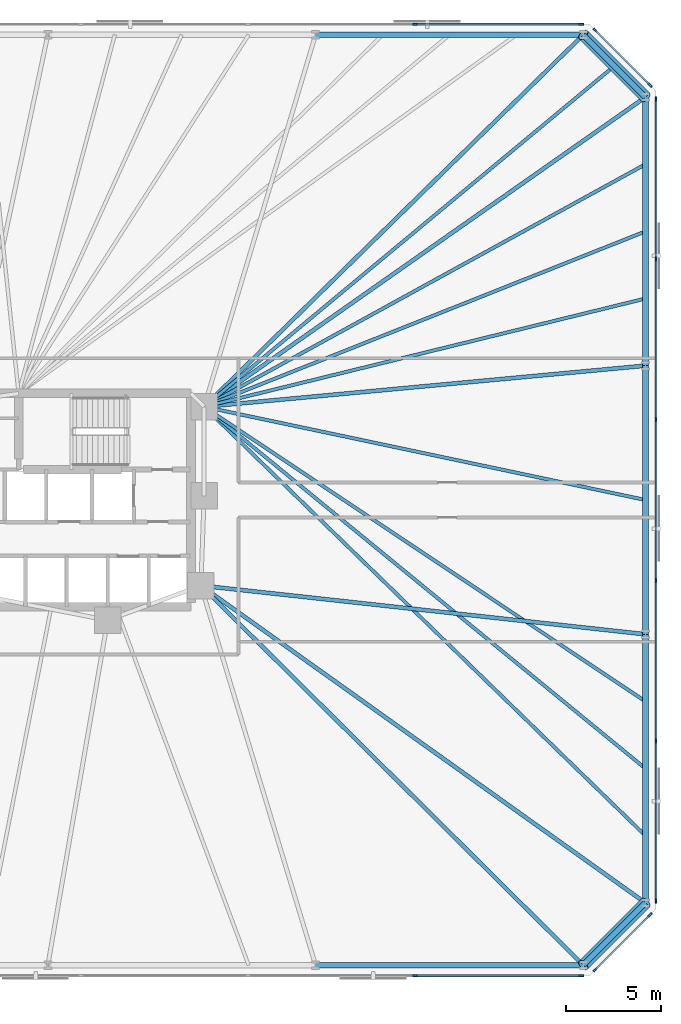
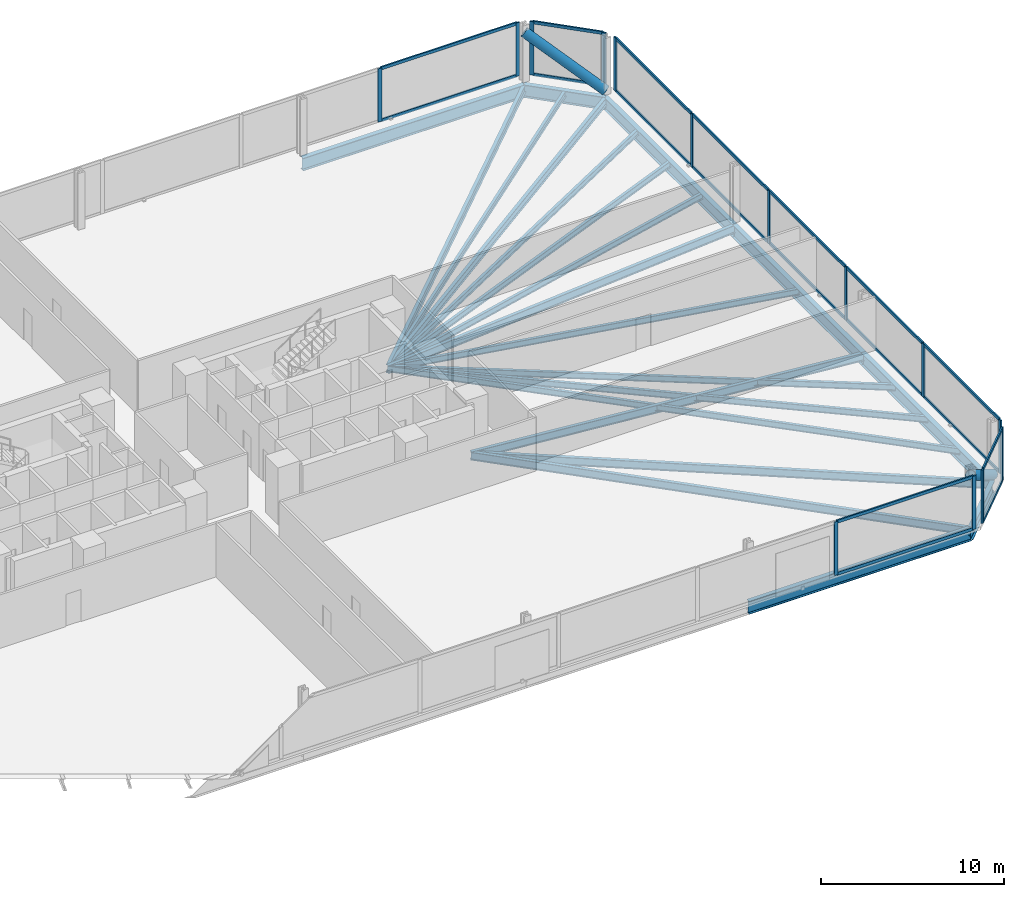
# One storey, part 10 of 16: 34 members, 21 beams, 5 elements without a shape of their own.
"""IFC4 building model written with IfcOpenShell, lengths in metres."""

import ifcopenshell
import ifcopenshell.guid

model = None  # the IFC model being written
_history = None  # IfcOwnerHistory: only IFC2X3 demands one
_inside = {}  # id of a spatial element -> (the spatial element, [elements in it])
_under = {}  # id of a project, library or spatial element -> (it, [spatial elements below it])
_declared = {}  # id of a project -> (the project, [libraries it declares])
_typed = {}  # id of a type object -> (the type object, [elements of that type])
_made_of = {}  # id of a material, layer set ... -> (it, [elements and type objects made of it])


def new_model(schema):
    """Start an empty IFC model of exactly this schema.

    Asked for "IFC4X3", IfcOpenShell would pick the latest addendum, in which some entities
    have other attributes; the version numbers below select the first issue.
    IFC2X3 requires an IfcOwnerHistory on every rooted entity: one is made here for all.
    """
    global model, _history
    if schema == "IFC4X3":
        model = ifcopenshell.file(schema_version=(4, 3, 0, 0))
    else:
        model = ifcopenshell.file(schema=schema)
    _inside.clear()
    _under.clear()
    _declared.clear()
    _typed.clear()
    _made_of.clear()
    _history = None
    if model.schema == "IFC2X3":
        org = make("IfcOrganization", Name="unknown")
        user = make(
            "IfcPersonAndOrganization",
            ThePerson=make("IfcPerson", FamilyName="unknown"),
            TheOrganization=org,
        )
        app = make(
            "IfcApplication",
            ApplicationDeveloper=org,
            Version="unknown",
            ApplicationFullName="unknown",
            ApplicationIdentifier="unknown",
        )
        _history = make(
            "IfcOwnerHistory",
            OwningUser=user,
            OwningApplication=app,
            ChangeAction="ADDED",
            CreationDate=0,
        )
    return model


def make(cls, **values):
    """One entity of the class cls with the attributes given. An attribute that is None is left unset."""
    return model.create_entity(
        cls, **{name: value for name, value in values.items() if value is not None}
    )


def rooted(cls, **values):
    """An entity with a GlobalId (a new one), such as an element, a storey or a relation."""
    return make(cls, GlobalId=ifcopenshell.guid.new(), OwnerHistory=_history, **values)


def si_unit(unit_type, name, prefix=None):
    """IfcSIUnit, for example si_unit("LENGTHUNIT", "METRE", prefix="MILLI")."""
    return make("IfcSIUnit", UnitType=unit_type, Prefix=prefix, Name=name)


def assignment(units):
    """IfcUnitAssignment: the units of a project."""
    return None if units is None else make("IfcUnitAssignment", Units=units)


def point(xyz):
    """IfcCartesianPoint."""
    return None if xyz is None else make("IfcCartesianPoint", Coordinates=xyz)


def direction(xyz):
    """IfcDirection."""
    return None if xyz is None else make("IfcDirection", DirectionRatios=xyz)


def frame(location, z_axis=None, x_axis=None):
    """IfcAxis2Placement3D, a coordinate frame: its origin and axes. An axis left out is left unset."""
    return make(
        "IfcAxis2Placement3D",
        Location=point(location),
        Axis=direction(z_axis),
        RefDirection=direction(x_axis),
    )


def frame_2d(location, x_axis=None):
    """IfcAxis2Placement2D, a coordinate frame in the plane: its origin and x axis."""
    return make(
        "IfcAxis2Placement2D", Location=point(location), RefDirection=direction(x_axis)
    )


def origin():
    """The frame at (0, 0, 0) with its axes left unset."""
    return frame((0.0, 0.0, 0.0))


def origin_2d():
    """The frame at (0, 0) in the plane with its x axis left unset."""
    return frame_2d((0.0, 0.0))


def place(relative_to, where):
    """IfcLocalPlacement: puts the frame where relative to a parent placement (None: the world)."""
    return make(
        "IfcLocalPlacement", PlacementRelTo=relative_to, RelativePlacement=where
    )


def context(
    kind, dimensions, precision=None, world=None, true_north=None, identifier=None
):
    """IfcGeometricRepresentationContext, for example the 3D "Model" context."""
    return make(
        "IfcGeometricRepresentationContext",
        ContextIdentifier=identifier,
        ContextType=kind,
        CoordinateSpaceDimension=dimensions,
        Precision=precision,
        WorldCoordinateSystem=world,
        TrueNorth=true_north,
    )


def subcontext(parent, identifier, kind, view, scale=None):
    """IfcGeometricRepresentationSubContext, for example "Body" below "Model"."""
    return make(
        "IfcGeometricRepresentationSubContext",
        ContextIdentifier=identifier,
        ContextType=kind,
        ParentContext=parent,
        TargetScale=scale,
        TargetView=view,
    )


def project(units=None, contexts=None):
    """IfcProject with its units and contexts."""
    return rooted(
        "IfcProject",
        Name="project",
        RepresentationContexts=contexts,
        UnitsInContext=assignment(units),
    )


def spatial(cls, under=None, at=None, **own):
    """A site, building, storey or space (cls), placed at a placement, below another one or the project."""
    s = rooted(cls, ObjectPlacement=at, **own)
    if under is not None:
        _under.setdefault(under.id(), (under, []))[1].append(s)
    return s


def profile(cls, at=None, kind="AREA", **sizes):
    """A parametric profile (cls). Its sizes go by their IFC names, for example OverallWidth=200.0."""
    return make(cls, ProfileType=kind, Position=at, **sizes)


def rectangle(**sizes):
    """IfcRectangleProfileDef."""
    return profile("IfcRectangleProfileDef", **sizes)


def hollow_circle(**sizes):
    """IfcCircleHollowProfileDef."""
    return profile("IfcCircleHollowProfileDef", **sizes)


def i_section(**sizes):
    """IfcIShapeProfileDef."""
    return profile("IfcIShapeProfileDef", **sizes)


def extrude(swept, where, along, depth):
    """IfcExtrudedAreaSolid: the profile swept, set in the frame where, extruded along a direction by depth."""
    return make(
        "IfcExtrudedAreaSolid",
        SweptArea=swept,
        Position=where,
        ExtrudedDirection=direction(along),
        Depth=depth,
    )


def shape(context_of_items, identifier, shape_type, items):
    """IfcShapeRepresentation: the items that make up one representation, for example the "Body"."""
    return make(
        "IfcShapeRepresentation",
        ContextOfItems=context_of_items,
        RepresentationIdentifier=identifier,
        RepresentationType=shape_type,
        Items=items,
    )


def material(Name=None, Category=None):
    """IfcMaterial."""
    return make("IfcMaterial", Name=Name, Category=Category)


def material_profile(
    of_material, cross_section, Name=None, Category=None, Priority=None
):
    """IfcMaterialProfile: a cross section and its material."""
    return make(
        "IfcMaterialProfile",
        Name=Name,
        Material=of_material,
        Profile=cross_section,
        Priority=Priority,
        Category=Category,
    )


def profile_set(profiles, Name=None, composite=None):
    """IfcMaterialProfileSet."""
    return make(
        "IfcMaterialProfileSet",
        Name=Name,
        MaterialProfiles=profiles,
        CompositeProfile=composite,
    )


def made_of(thing, what):
    """Note that an element or type object is made of a material, layer set ...; save() writes the relation."""
    if what is not None:
        _made_of.setdefault(what.id(), (what, []))[1].append(thing)
    return thing


def type_object(cls, material=None, **own):
    """A type object (cls), such as IfcWallType, which elements share."""
    return made_of(rooted(cls, **own), material)


def element(
    cls,
    number,
    at=None,
    inside=None,
    cuts=None,
    type_object=None,
    material=None,
    context=None,
    identifier="Body",
    shape_type=None,
    held_by="IfcProductDefinitionShape",
    body=None,
    shapes=None,
    **own,
):
    """One element of the class cls, such as IfcWall. Its Tag is "e" and its number.

    at: its placement. inside: the storey or other place that contains it. cuts: it is an
    opening in that element (IfcRelVoidsElement). A single representation is given by context,
    identifier, shape_type and body (its items); several are given by shapes. held_by: the class
    of the entity that holds the representations. save() writes the other relations.
    """
    e = rooted(cls, Tag="e%d" % number, ObjectPlacement=at, **own)
    if body is not None:
        shapes = [shape(context, identifier, shape_type, body)]
    if shapes is not None:
        e.Representation = make(held_by, Representations=shapes)
    if inside is not None:
        _inside.setdefault(inside.id(), (inside, []))[1].append(e)
    if cuts is not None:
        rooted(
            "IfcRelVoidsElement", RelatingBuildingElement=cuts, RelatedOpeningElement=e
        )
    if type_object is not None:
        _typed.setdefault(type_object.id(), (type_object, []))[1].append(e)
    return made_of(e, material)


def aggregate(whole, parts):
    """IfcRelAggregates: a whole, such as a stair, and the parts it consists of."""
    return rooted("IfcRelAggregates", RelatingObject=whole, RelatedObjects=parts)


def save(model, path):
    """Write the relations noted so far, then the file.

    IfcRelAggregates (storeys below a building ...), IfcRelContainedInSpatialStructure (elements
    in a storey), IfcRelDefinesByType, IfcRelAssociatesMaterial and IfcRelDeclares: one each for
    every whole, place, type object, material and project.
    """
    for whole, parts in _under.values():
        aggregate(whole, parts)
    for where, things in _inside.values():
        rooted(
            "IfcRelContainedInSpatialStructure",
            RelatedElements=things,
            RelatingStructure=where,
        )
    for kind, things in _typed.values():
        rooted("IfcRelDefinesByType", RelatedObjects=things, RelatingType=kind)
    for what, things in _made_of.values():
        rooted("IfcRelAssociatesMaterial", RelatedObjects=things, RelatingMaterial=what)
    for by, libraries in _declared.values():
        rooted("IfcRelDeclares", RelatingContext=by, RelatedDefinitions=libraries)
    model.write(path)


model = new_model("IFC4")

# Units and contexts
model_context = context("Model", 3, precision=1e-05, world=origin(), true_north=direction((0.0, 1.0)))
body_context = subcontext(model_context, "Body", "Model", "MODEL_VIEW")
ifc_project = project(units=[si_unit("LENGTHUNIT", "METRE"), si_unit("AREAUNIT", "SQUARE_METRE"), si_unit("VOLUMEUNIT", "CUBIC_METRE"), si_unit("PLANEANGLEUNIT", "RADIAN"), si_unit("MASSUNIT", "GRAM", prefix="KILO")], contexts=[model_context])

# Site, building, storey
site_placement = place(None, origin())
site = spatial("IfcSite", under=ifc_project, at=site_placement, CompositionType="ELEMENT")
building_placement = place(site_placement, origin())
building = spatial("IfcBuilding", under=site, at=building_placement, Name="Menara Jurai Vektor", CompositionType="ELEMENT")
storey_placement = place(building_placement, frame((0.0, 0.0, 67.39990234375)))
storey = spatial("IfcBuildingStorey", under=building, at=storey_placement, Name="L16", CompositionType="ELEMENT", Elevation=67.39990234375)

# Curtain wall, members
ifc_material_1 = material(Name="Anodised Pale Aluminium & Low-E Double Glazing", Category="aluminium")
curtain_wall_type = type_object("IfcCurtainWallType", Name="CW-BLK1", PredefinedType="NOTDEFINED", material=ifc_material_1)
curtain_wall_1_placement = place(storey_placement, origin())
curtain_wall_1 = element("IfcCurtainWall", 1, at=curtain_wall_1_placement, inside=storey, type_object=curtain_wall_type, Name="Unitised Curtain Wall L16 F01", PredefinedType="NOTDEFINED")
ifc_material_2 = material(Name="Anodised Pale Aluminium Mullion", Category="aluminium")
ifc_material_profile_1 = material_profile(ifc_material_2, rectangle(XDim=0.094970703125, YDim=0.239990234375, at=origin_2d()), Name="ALU MUL 95x240")
ifc_profile_set_1 = profile_set([ifc_material_profile_1], Name="Anodised Pale Aluminium Mullion")
member_type_1 = type_object("IfcMemberType", Name="CW-BLK1-MUL", PredefinedType="MULLION", material=ifc_profile_set_1)
member_1_placement = place(storey_placement, frame((26.340087890625, -25.0, 0.0), z_axis=(0.0, 0.0, 1.0), x_axis=(0.0, 1.0, 0.0)))
member_1 = element("IfcMember", 2, at=member_1_placement, type_object=member_type_1, Name="CW-01 mullion 8", PredefinedType="MULLION", context=body_context, shape_type="SweptSolid", body=[
    extrude(rectangle(XDim=0.094970703125, YDim=0.239990234375, at=origin_2d()), origin(), (0.0, 0.0, 1.0), 3.5751953125),
])
member_2_placement = place(storey_placement, frame((35.072509765625, -25.0, 0.0), z_axis=(0.0, 0.0, 1.0), x_axis=(0.0, 1.0, 0.0)))
member_2 = element("IfcMember", 3, at=member_2_placement, type_object=member_type_1, Name="CW-01 mullion 9", PredefinedType="MULLION", context=body_context, shape_type="SweptSolid", body=[
    extrude(rectangle(XDim=0.094970703125, YDim=0.239990234375, at=origin_2d()), origin(), (0.0, 0.0, 1.0), 3.5751953125),
])

curtain_wall_2_placement = place(storey_placement, origin())
curtain_wall_2 = element("IfcCurtainWall", 4, at=curtain_wall_2_placement, inside=storey, type_object=curtain_wall_type, Name="Unitised Curtain Wall L16 F02", PredefinedType="NOTDEFINED")
member_3_placement = place(storey_placement, frame((35.80224609375, -24.69775390625, 0.0), z_axis=(0.0, 0.0, 1.0), x_axis=(-0.707106781187, 0.707106781187, 0.0)))
member_3 = element("IfcMember", 5, at=member_3_placement, type_object=member_type_1, Name="CW-01 mullion 1", PredefinedType="MULLION", context=body_context, shape_type="SweptSolid", body=[
    extrude(rectangle(XDim=0.094970703125, YDim=0.239990234375, at=origin_2d()), origin(), (0.0, 0.0, 1.0), 3.5751953125),
])
member_4_placement = place(storey_placement, frame((38.69775390625, -21.80224609375, 0.0), z_axis=(0.0, 0.0, 1.0), x_axis=(-0.707106781187, 0.707106781187, 0.0)))
member_4 = element("IfcMember", 6, at=member_4_placement, type_object=member_type_1, Name="CW-01 mullion 2", PredefinedType="MULLION", context=body_context, shape_type="SweptSolid", body=[
    extrude(rectangle(XDim=0.094970703125, YDim=0.239990234375, at=origin_2d()), origin(), (0.0, 0.0, 1.0), 3.5751953125),
])

curtain_wall_3_placement = place(storey_placement, origin())
curtain_wall_3 = element("IfcCurtainWall", 7, at=curtain_wall_3_placement, inside=storey, type_object=curtain_wall_type, Name="Unitised Curtain Wall L16 F03", PredefinedType="NOTDEFINED")
member_5_placement = place(storey_placement, frame((39.0, -21.072509765625, 0.0), z_axis=(0.0, 0.0, 1.0), x_axis=(-1.0, 0.0, 0.0)))
member_5 = element("IfcMember", 8, at=member_5_placement, type_object=member_type_1, Name="CW-01 mullion 1", PredefinedType="MULLION", context=body_context, shape_type="SweptSolid", body=[
    extrude(rectangle(XDim=0.094970703125, YDim=0.239990234375, at=origin_2d()), origin(), (0.0, 0.0, 1.0), 3.5751953125),
])
member_6_placement = place(storey_placement, frame((39.0, -12.672119140625, 0.0), z_axis=(0.0, 0.0, 1.0), x_axis=(-1.0, 0.0, 0.0)))
member_6 = element("IfcMember", 9, at=member_6_placement, type_object=member_type_1, Name="CW-01 mullion 2", PredefinedType="MULLION", context=body_context, shape_type="SweptSolid", body=[
    extrude(rectangle(XDim=0.094970703125, YDim=0.239990234375, at=origin_2d()), origin(), (0.0, 0.0, 1.0), 3.5751953125),
])
member_7_placement = place(storey_placement, frame((39.0, -4.22412109375, 0.0), z_axis=(0.0, 0.0, 1.0), x_axis=(-1.0, 0.0, 0.0)))
member_7 = element("IfcMember", 10, at=member_7_placement, type_object=member_type_1, Name="CW-01 mullion 3", PredefinedType="MULLION", context=body_context, shape_type="SweptSolid", body=[
    extrude(rectangle(XDim=0.094970703125, YDim=0.239990234375, at=origin_2d()), origin(), (0.0, 0.0, 1.0), 3.5751953125),
])
member_8_placement = place(storey_placement, frame((39.0, 4.22412109375, 0.0), z_axis=(0.0, 0.0, 1.0), x_axis=(-1.0, 0.0, 0.0)))
member_8 = element("IfcMember", 11, at=member_8_placement, type_object=member_type_1, Name="CW-01 mullion 4", PredefinedType="MULLION", context=body_context, shape_type="SweptSolid", body=[
    extrude(rectangle(XDim=0.094970703125, YDim=0.239990234375, at=origin_2d()), origin(), (0.0, 0.0, 1.0), 3.5751953125),
])
member_9_placement = place(storey_placement, frame((39.0, 12.672119140625, 0.0), z_axis=(0.0, 0.0, 1.0), x_axis=(-1.0, 0.0, 0.0)))
member_9 = element("IfcMember", 12, at=member_9_placement, type_object=member_type_1, Name="CW-01 mullion 5", PredefinedType="MULLION", context=body_context, shape_type="SweptSolid", body=[
    extrude(rectangle(XDim=0.094970703125, YDim=0.239990234375, at=origin_2d()), origin(), (0.0, 0.0, 1.0), 3.5751953125),
])
member_10_placement = place(storey_placement, frame((39.0, 21.072509765625, 0.0), z_axis=(0.0, 0.0, 1.0), x_axis=(-1.0, 0.0, 0.0)))
member_10 = element("IfcMember", 13, at=member_10_placement, type_object=member_type_1, Name="CW-01 mullion 6", PredefinedType="MULLION", context=body_context, shape_type="SweptSolid", body=[
    extrude(rectangle(XDim=0.094970703125, YDim=0.239990234375, at=origin_2d()), origin(), (0.0, 0.0, 1.0), 3.5751953125),
])

curtain_wall_4_placement = place(storey_placement, origin())
curtain_wall_4 = element("IfcCurtainWall", 14, at=curtain_wall_4_placement, inside=storey, type_object=curtain_wall_type, Name="Unitised Curtain Wall L16 F04", PredefinedType="NOTDEFINED")
member_11_placement = place(storey_placement, frame((38.69775390625, 21.80224609375, 0.0), z_axis=(0.0, 0.0, 1.0), x_axis=(-0.707106781187, -0.707106781187, 0.0)))
member_11 = element("IfcMember", 15, at=member_11_placement, type_object=member_type_1, Name="CW-01 mullion 1", PredefinedType="MULLION", context=body_context, shape_type="SweptSolid", body=[
    extrude(rectangle(XDim=0.094970703125, YDim=0.239990234375, at=origin_2d()), origin(), (0.0, 0.0, 1.0), 3.5751953125),
])
member_12_placement = place(storey_placement, frame((35.80224609375, 24.69775390625, 0.0), z_axis=(0.0, 0.0, 1.0), x_axis=(-0.707106781187, -0.707106781187, 0.0)))
member_12 = element("IfcMember", 16, at=member_12_placement, type_object=member_type_1, Name="CW-01 mullion 2", PredefinedType="MULLION", context=body_context, shape_type="SweptSolid", body=[
    extrude(rectangle(XDim=0.094970703125, YDim=0.239990234375, at=origin_2d()), origin(), (0.0, 0.0, 1.0), 3.5751953125),
])

curtain_wall_5_placement = place(storey_placement, origin())
curtain_wall_5 = element("IfcCurtainWall", 17, at=curtain_wall_5_placement, inside=storey, type_object=curtain_wall_type, Name="Unitised Curtain Wall L16 F05", PredefinedType="NOTDEFINED")
member_13_placement = place(storey_placement, frame((35.072509765625, 25.0, 0.0), z_axis=(0.0, 0.0, 1.0), x_axis=(0.0, -1.0, 0.0)))
member_13 = element("IfcMember", 18, at=member_13_placement, type_object=member_type_1, Name="CW-01 mullion 1", PredefinedType="MULLION", context=body_context, shape_type="SweptSolid", body=[
    extrude(rectangle(XDim=0.094970703125, YDim=0.239990234375, at=origin_2d()), origin(), (0.0, 0.0, 1.0), 3.5751953125),
])
member_14_placement = place(storey_placement, frame((26.340087890625, 25.0, 0.0), z_axis=(0.0, 0.0, 1.0), x_axis=(0.0, -1.0, 0.0)))
member_14 = element("IfcMember", 19, at=member_14_placement, type_object=member_type_1, Name="CW-01 mullion 2", PredefinedType="MULLION", context=body_context, shape_type="SweptSolid", body=[
    extrude(rectangle(XDim=0.094970703125, YDim=0.239990234375, at=origin_2d()), origin(), (0.0, 0.0, 1.0), 3.5751953125),
])

# Member
ifc_material_3 = material(Name="Anodised Pale Aluminium Transom", Category="aluminium")
ifc_material_profile_2 = material_profile(ifc_material_3, rectangle(XDim=0.094970703125, YDim=0.199951171875, at=origin_2d()), Name="ALU TRN 95x200")
ifc_profile_set_2 = profile_set([ifc_material_profile_2], Name="Anodised Pale Aluminium Transom")
member_type_2 = type_object("IfcMemberType", Name="CW-BLK1-TRN", PredefinedType="USERDEFINED", material=ifc_profile_set_2)
member_15_placement = place(storey_placement, frame((26.387451171875, -25.0, 0.047607421875), z_axis=(1.0, 0.0, 0.0), x_axis=(0.0, 1.0, 0.0)))
member_15 = element("IfcMember", 20, at=member_15_placement, type_object=member_type_2, Name="CW-01 transom 8.1", ObjectType="TRANSOM", PredefinedType="USERDEFINED", context=body_context, shape_type="SweptSolid", body=[
    extrude(rectangle(XDim=0.094970703125, YDim=0.199951171875, at=origin_2d()), origin(), (0.0, 0.0, 1.0), 8.637451171875),
])

member_16_placement = place(storey_placement, frame((26.387451171875, -25.0, 3.527587890625), z_axis=(1.0, 0.0, 0.0), x_axis=(0.0, 1.0, 0.0)))
member_16 = element("IfcMember", 21, at=member_16_placement, type_object=member_type_2, Name="CW-01 transom 8.2", ObjectType="TRANSOM", PredefinedType="USERDEFINED", context=body_context, shape_type="SweptSolid", body=[
    extrude(rectangle(XDim=0.094970703125, YDim=0.199951171875, at=origin_2d()), origin(), (0.0, 0.0, 1.0), 8.637451171875),
])

aggregate(curtain_wall_1, [member_1, member_2, member_15, member_16])

member_17_placement = place(storey_placement, frame((35.8359375, -24.6640625, 0.047607421875), z_axis=(0.707106781187, 0.707106781187, 0.0), x_axis=(-0.707106781187, 0.707106781187, 0.0)))
member_17 = element("IfcMember", 22, at=member_17_placement, type_object=member_type_2, Name="CW-01 transom 1.1", ObjectType="TRANSOM", PredefinedType="USERDEFINED", context=body_context, shape_type="SweptSolid", body=[
    extrude(rectangle(XDim=0.094970703125, YDim=0.199951171875, at=origin_2d()), origin(), (0.0, 0.0, 1.0), 3.99951171875),
])

member_18_placement = place(storey_placement, frame((35.8359375, -24.6640625, 3.527587890625), z_axis=(0.707106781187, 0.707106781187, 0.0), x_axis=(-0.707106781187, 0.707106781187, 0.0)))
member_18 = element("IfcMember", 23, at=member_18_placement, type_object=member_type_2, Name="CW-01 transom 1.2", ObjectType="TRANSOM", PredefinedType="USERDEFINED", context=body_context, shape_type="SweptSolid", body=[
    extrude(rectangle(XDim=0.094970703125, YDim=0.199951171875, at=origin_2d()), origin(), (0.0, 0.0, 1.0), 3.99951171875),
])

aggregate(curtain_wall_2, [member_3, member_4, member_17, member_18])

member_19_placement = place(storey_placement, frame((39.0, -21.02490234375, 0.047607421875), z_axis=(0.0, 1.0, 0.0), x_axis=(-1.0, 0.0, 0.0)))
member_19 = element("IfcMember", 24, at=member_19_placement, type_object=member_type_2, Name="CW-01 transom 1.1", ObjectType="TRANSOM", PredefinedType="USERDEFINED", context=body_context, shape_type="SweptSolid", body=[
    extrude(rectangle(XDim=0.094970703125, YDim=0.199951171875, at=origin_2d()), origin(), (0.0, 0.0, 1.0), 8.305419921875),
])

member_20_placement = place(storey_placement, frame((39.0, -21.02490234375, 3.527587890625), z_axis=(0.0, 1.0, 0.0), x_axis=(-1.0, 0.0, 0.0)))
member_20 = element("IfcMember", 25, at=member_20_placement, type_object=member_type_2, Name="CW-01 transom 1.2", ObjectType="TRANSOM", PredefinedType="USERDEFINED", context=body_context, shape_type="SweptSolid", body=[
    extrude(rectangle(XDim=0.094970703125, YDim=0.199951171875, at=origin_2d()), origin(), (0.0, 0.0, 1.0), 8.305419921875),
])

member_21_placement = place(storey_placement, frame((39.0, -12.62451171875, 0.047607421875), z_axis=(0.0, 1.0, 0.0), x_axis=(-1.0, 0.0, 0.0)))
member_21 = element("IfcMember", 26, at=member_21_placement, type_object=member_type_2, Name="CW-01 transom 2.1", ObjectType="TRANSOM", PredefinedType="USERDEFINED", context=body_context, shape_type="SweptSolid", body=[
    extrude(rectangle(XDim=0.094970703125, YDim=0.199951171875, at=origin_2d()), origin(), (0.0, 0.0, 1.0), 8.35302734375),
])

member_22_placement = place(storey_placement, frame((39.0, -12.62451171875, 3.527587890625), z_axis=(0.0, 1.0, 0.0), x_axis=(-1.0, 0.0, 0.0)))
member_22 = element("IfcMember", 27, at=member_22_placement, type_object=member_type_2, Name="CW-01 transom 2.2", ObjectType="TRANSOM", PredefinedType="USERDEFINED", context=body_context, shape_type="SweptSolid", body=[
    extrude(rectangle(XDim=0.094970703125, YDim=0.199951171875, at=origin_2d()), origin(), (0.0, 0.0, 1.0), 8.35302734375),
])

member_23_placement = place(storey_placement, frame((39.0, -4.176513671875, 0.047607421875), z_axis=(0.0, 1.0, 0.0), x_axis=(-1.0, 0.0, 0.0)))
member_23 = element("IfcMember", 28, at=member_23_placement, type_object=member_type_2, Name="CW-01 transom 3.1", ObjectType="TRANSOM", PredefinedType="USERDEFINED", context=body_context, shape_type="SweptSolid", body=[
    extrude(rectangle(XDim=0.094970703125, YDim=0.199951171875, at=origin_2d()), origin(), (0.0, 0.0, 1.0), 8.35302734375),
])

member_24_placement = place(storey_placement, frame((39.0, -4.176513671875, 3.527587890625), z_axis=(0.0, 1.0, 0.0), x_axis=(-1.0, 0.0, 0.0)))
member_24 = element("IfcMember", 29, at=member_24_placement, type_object=member_type_2, Name="CW-01 transom 3.2", ObjectType="TRANSOM", PredefinedType="USERDEFINED", context=body_context, shape_type="SweptSolid", body=[
    extrude(rectangle(XDim=0.094970703125, YDim=0.199951171875, at=origin_2d()), origin(), (0.0, 0.0, 1.0), 8.35302734375),
])

member_25_placement = place(storey_placement, frame((39.0, 4.271484375, 0.047607421875), z_axis=(0.0, 1.0, 0.0), x_axis=(-1.0, 0.0, 0.0)))
member_25 = element("IfcMember", 30, at=member_25_placement, type_object=member_type_2, Name="CW-01 transom 4.1", ObjectType="TRANSOM", PredefinedType="USERDEFINED", context=body_context, shape_type="SweptSolid", body=[
    extrude(rectangle(XDim=0.094970703125, YDim=0.199951171875, at=origin_2d()), origin(), (0.0, 0.0, 1.0), 8.35302734375),
])

member_26_placement = place(storey_placement, frame((39.0, 4.271484375, 3.527587890625), z_axis=(0.0, 1.0, 0.0), x_axis=(-1.0, 0.0, 0.0)))
member_26 = element("IfcMember", 31, at=member_26_placement, type_object=member_type_2, Name="CW-01 transom 4.2", ObjectType="TRANSOM", PredefinedType="USERDEFINED", context=body_context, shape_type="SweptSolid", body=[
    extrude(rectangle(XDim=0.094970703125, YDim=0.199951171875, at=origin_2d()), origin(), (0.0, 0.0, 1.0), 8.35302734375),
])

member_27_placement = place(storey_placement, frame((39.0, 12.719482421875, 0.047607421875), z_axis=(0.0, 1.0, 0.0), x_axis=(-1.0, 0.0, 0.0)))
member_27 = element("IfcMember", 32, at=member_27_placement, type_object=member_type_2, Name="CW-01 transom 5.1", ObjectType="TRANSOM", PredefinedType="USERDEFINED", context=body_context, shape_type="SweptSolid", body=[
    extrude(rectangle(XDim=0.094970703125, YDim=0.199951171875, at=origin_2d()), origin(), (0.0, 0.0, 1.0), 8.305419921875),
])

member_28_placement = place(storey_placement, frame((39.0, 12.719482421875, 3.527587890625), z_axis=(0.0, 1.0, 0.0), x_axis=(-1.0, 0.0, 0.0)))
member_28 = element("IfcMember", 33, at=member_28_placement, type_object=member_type_2, Name="CW-01 transom 5.2", ObjectType="TRANSOM", PredefinedType="USERDEFINED", context=body_context, shape_type="SweptSolid", body=[
    extrude(rectangle(XDim=0.094970703125, YDim=0.199951171875, at=origin_2d()), origin(), (0.0, 0.0, 1.0), 8.305419921875),
])

aggregate(curtain_wall_3, [member_5, member_6, member_7, member_8, member_9, member_10, member_19, member_20, member_21, member_22, member_23, member_24, member_25, member_26, member_27, member_28])

member_29_placement = place(storey_placement, frame((38.6640625, 21.8359375, 0.047607421875), z_axis=(-0.707106781187, 0.707106781187, 0.0), x_axis=(-0.707106781187, -0.707106781187, 0.0)))
member_29 = element("IfcMember", 34, at=member_29_placement, type_object=member_type_2, Name="CW-01 transom 1.1", ObjectType="TRANSOM", PredefinedType="USERDEFINED", context=body_context, shape_type="SweptSolid", body=[
    extrude(rectangle(XDim=0.094970703125, YDim=0.199951171875, at=origin_2d()), origin(), (0.0, 0.0, 1.0), 3.99951171875),
])

member_30_placement = place(storey_placement, frame((38.6640625, 21.8359375, 3.527587890625), z_axis=(-0.707106781187, 0.707106781187, 0.0), x_axis=(-0.707106781187, -0.707106781187, 0.0)))
member_30 = element("IfcMember", 35, at=member_30_placement, type_object=member_type_2, Name="CW-01 transom 1.2", ObjectType="TRANSOM", PredefinedType="USERDEFINED", context=body_context, shape_type="SweptSolid", body=[
    extrude(rectangle(XDim=0.094970703125, YDim=0.199951171875, at=origin_2d()), origin(), (0.0, 0.0, 1.0), 3.99951171875),
])

aggregate(curtain_wall_4, [member_11, member_12, member_29, member_30])

member_31_placement = place(storey_placement, frame((35.02490234375, 25.0, 0.047607421875), z_axis=(-1.0, 0.0, 0.0), x_axis=(0.0, -1.0, 0.0)))
member_31 = element("IfcMember", 36, at=member_31_placement, type_object=member_type_2, Name="CW-01 transom 1.1", ObjectType="TRANSOM", PredefinedType="USERDEFINED", context=body_context, shape_type="SweptSolid", body=[
    extrude(rectangle(XDim=0.094970703125, YDim=0.199951171875, at=origin_2d()), origin(), (0.0, 0.0, 1.0), 8.637451171875),
])

member_32_placement = place(storey_placement, frame((35.02490234375, 25.0, 3.527587890625), z_axis=(-1.0, 0.0, 0.0), x_axis=(0.0, -1.0, 0.0)))
member_32 = element("IfcMember", 37, at=member_32_placement, type_object=member_type_2, Name="CW-01 transom 1.2", ObjectType="TRANSOM", PredefinedType="USERDEFINED", context=body_context, shape_type="SweptSolid", body=[
    extrude(rectangle(XDim=0.094970703125, YDim=0.199951171875, at=origin_2d()), origin(), (0.0, 0.0, 1.0), 8.637451171875),
])

aggregate(curtain_wall_5, [member_13, member_14, member_31, member_32])

# Beams
ifc_material_4 = material(Name="Steel S355", Category="steel")
ifc_material_profile_3 = material_profile(ifc_material_4, i_section(OverallWidth=0.2109375, OverallDepth=0.5390625, WebThickness=0.011962890625, FlangeThickness=0.01904296875, FilletRadius=0.012939453125, at=origin_2d()), Name="UKB 533x210x109")
ifc_profile_set_3 = profile_set([ifc_material_profile_3], Name="Steel S355")
beam_type_1 = type_object("IfcBeamType", Name="STR-BM-533", PredefinedType="BEAM", material=ifc_profile_set_3)
beam_1_placement = place(storey_placement, frame((35.177734375, -24.449951171875, -0.494384765625), z_axis=(-0.709709931659, 0.704494011972, 0.0), x_axis=(-0.704494011972, -0.709709931659, 0.0)))
element("IfcBeam", 38, at=beam_1_placement, inside=storey, type_object=beam_type_1, Name="Radial Floor Girder L16-S6", PredefinedType="BEAM", context=body_context, shape_type="SweptSolid", body=[
    extrude(i_section(OverallWidth=0.2109375, OverallDepth=0.5390625, WebThickness=0.011962890625, FlangeThickness=0.01904296875, FilletRadius=0.012939453125, at=origin_2d()), origin(), (0.0, 0.0, 1.0), 28.318115234375),
])
beam_2_placement = place(storey_placement, frame((38.449951171875, -21.177734375, -0.494384765625), z_axis=(-0.813981033216, 0.580891450759, 0.0), x_axis=(-0.580891450759, -0.813981033216, 0.0)))
element("IfcBeam", 39, at=beam_2_placement, inside=storey, type_object=beam_type_1, Name="Radial Floor Girder L16-E1", PredefinedType="BEAM", context=body_context, shape_type="SweptSolid", body=[
    extrude(i_section(OverallWidth=0.2109375, OverallDepth=0.5390625, WebThickness=0.011962890625, FlangeThickness=0.01904296875, FilletRadius=0.012939453125, at=origin_2d()), origin(), (0.0, 0.0, 1.0), 28.710693359375),
])
beam_3_placement = place(storey_placement, frame((38.449951171875, -7.059326171875, -0.494384765625), z_axis=(-0.994056757953, 0.108863042253, 0.0), x_axis=(-0.108863042253, -0.994056757953, 0.0)))
element("IfcBeam", 40, at=beam_3_placement, inside=storey, type_object=beam_type_1, Name="Radial Floor Girder L16-E2", PredefinedType="BEAM", context=body_context, shape_type="SweptSolid", body=[
    extrude(i_section(OverallWidth=0.2109375, OverallDepth=0.5390625, WebThickness=0.011962890625, FlangeThickness=0.01904296875, FilletRadius=0.012939453125, at=origin_2d()), origin(), (0.0, 0.0, 1.0), 23.509521484375),
])
beam_4_placement = place(storey_placement, frame((38.449951171875, 7.059326171875, -0.494384765625), z_axis=(-0.995696113112, -0.092678208514, 0.0), x_axis=(0.092678208514, -0.995696113112, 0.0)))
element("IfcBeam", 41, at=beam_4_placement, inside=storey, type_object=beam_type_1, Name="Radial Floor Girder L16-E3", PredefinedType="BEAM", context=body_context, shape_type="SweptSolid", body=[
    extrude(i_section(OverallWidth=0.2109375, OverallDepth=0.5390625, WebThickness=0.011962890625, FlangeThickness=0.01904296875, FilletRadius=0.012939453125, at=origin_2d()), origin(), (0.0, 0.0, 1.0), 23.30029296875),
])
beam_5_placement = place(storey_placement, frame((38.449951171875, 21.177734375, -0.494384765625), z_axis=(-0.818603732445, -0.574358711283, 0.0), x_axis=(0.574358711283, -0.818603732445, 0.0)))
element("IfcBeam", 42, at=beam_5_placement, inside=storey, type_object=beam_type_1, Name="Radial Floor Girder L16-E4", PredefinedType="BEAM", context=body_context, shape_type="SweptSolid", body=[
    extrude(i_section(OverallWidth=0.2109375, OverallDepth=0.5390625, WebThickness=0.011962890625, FlangeThickness=0.01904296875, FilletRadius=0.012939453125, at=origin_2d()), origin(), (0.0, 0.0, 1.0), 28.3408203125),
])
beam_6_placement = place(storey_placement, frame((35.177734375, 24.449951171875, -0.494384765625), z_axis=(-0.713839032855, -0.700309813706, 0.0), x_axis=(0.700309813706, -0.713839032855, 0.0)))
element("IfcBeam", 43, at=beam_6_placement, inside=storey, type_object=beam_type_1, Name="Radial Floor Girder L16-N1", PredefinedType="BEAM", context=body_context, shape_type="SweptSolid", body=[
    extrude(i_section(OverallWidth=0.2109375, OverallDepth=0.5390625, WebThickness=0.011962890625, FlangeThickness=0.01904296875, FilletRadius=0.012939453125, at=origin_2d()), origin(), (0.0, 0.0, 1.0), 27.916259765625),
])

# Members
ifc_material_5 = material(Name="Steel S460", Category="steel")
ifc_material_profile_4 = material_profile(ifc_material_5, hollow_circle(Radius=0.304931640625, WallThickness=0.02490234375, at=origin_2d()), Name="CHS 610x25")
ifc_profile_set_4 = profile_set([ifc_material_profile_4], Name="Steel S460")
member_type_3 = type_object("IfcMemberType", Name="STR-BR-610", PredefinedType="BRACE", material=ifc_profile_set_4)
for number, where, z_axis, x_axis, name in (
    (44, (38.449951171875, -21.177734375, 0.150146484375), (-0.588942422958, -0.588942422958, 0.553438022619), (0.707106781187, -0.707106781187, 0.0), "Exoskeleton Corner Brace L16-1"),
    (45, (38.449951171875, 21.177734375, 0.150146484375), (-0.588942422958, 0.588942422958, 0.553438022619), (-0.707106781187, -0.707106781187, 0.0), "Exoskeleton Corner Brace L16-2"),
):
    element("IfcMember", number, at=place(storey_placement, frame(where, z_axis=z_axis, x_axis=x_axis)), inside=storey, type_object=member_type_3, Name=name, PredefinedType="BRACE", context=body_context, shape_type="SweptSolid", body=[
        extrude(hollow_circle(Radius=0.304931640625, WallThickness=0.02490234375, at=origin_2d()), origin(), (0.0, 0.0, 1.0), 5.55615234375),
    ])

# Beams
ifc_material_profile_5 = material_profile(ifc_material_4, i_section(OverallWidth=0.178955078125, OverallDepth=0.408935546875, WebThickness=0.009033203125, FlangeThickness=0.013916015625, FilletRadius=0.010009765625, at=origin_2d()), Name="UKB 406x178x67")
ifc_profile_set_5 = profile_set([ifc_material_profile_5], Name="Steel S355")
beam_type_2 = type_object("IfcBeamType", Name="STR-JS-406", PredefinedType="JOIST", material=ifc_profile_set_5)
beam_7_placement = place(storey_placement, frame((38.449951171875, -17.648193359375, -0.429443359375), z_axis=(-0.71710942187, 0.696960599363, 0.0), x_axis=(-0.696960599363, -0.71710942187, 0.0)))
element("IfcBeam", 46, at=beam_7_placement, inside=storey, type_object=beam_type_2, Name="Radial Secondary Floor Joist L16-JS08", PredefinedType="JOIST", context=body_context, shape_type="SweptSolid", body=[
    extrude(i_section(OverallWidth=0.178955078125, OverallDepth=0.408935546875, WebThickness=0.009033203125, FlangeThickness=0.013916015625, FilletRadius=0.010009765625, at=origin_2d()), origin(), (0.0, 0.0, 1.0), 32.35205078125),
])
beam_8_placement = place(storey_placement, frame((38.449951171875, -14.118408203125, -0.429443359375), z_axis=(-0.773360118456, 0.633966976413, 0.0), x_axis=(-0.633966976413, -0.773360118456, 0.0)))
element("IfcBeam", 47, at=beam_8_placement, inside=storey, type_object=beam_type_2, Name="Radial Secondary Floor Joist L16-JS09", PredefinedType="JOIST", context=body_context, shape_type="SweptSolid", body=[
    extrude(i_section(OverallWidth=0.178955078125, OverallDepth=0.408935546875, WebThickness=0.009033203125, FlangeThickness=0.013916015625, FilletRadius=0.010009765625, at=origin_2d()), origin(), (0.0, 0.0, 1.0), 29.998779296875),
])
beam_9_placement = place(storey_placement, frame((38.449951171875, -10.5888671875, -0.429443359375), z_axis=(-0.831683872109, 0.555249436627, 0.0), x_axis=(-0.555249436627, -0.831683872109, 0.0)))
element("IfcBeam", 48, at=beam_9_placement, inside=storey, type_object=beam_type_2, Name="Radial Secondary Floor Joist L16-JS10", PredefinedType="JOIST", context=body_context, shape_type="SweptSolid", body=[
    extrude(i_section(OverallWidth=0.178955078125, OverallDepth=0.408935546875, WebThickness=0.009033203125, FlangeThickness=0.013916015625, FilletRadius=0.010009765625, at=origin_2d()), origin(), (0.0, 0.0, 1.0), 27.895263671875),
])
beam_10_placement = place(storey_placement, frame((38.449951171875, 0.0, -0.429443359375), z_axis=(-0.978416084102, 0.206644541109, 0.0), x_axis=(-0.206644541109, -0.978416084102, 0.0)))
element("IfcBeam", 49, at=beam_10_placement, inside=storey, type_object=beam_type_2, Name="Radial Secondary Floor Joist L16-JS11", PredefinedType="JOIST", context=body_context, shape_type="SweptSolid", body=[
    extrude(i_section(OverallWidth=0.178955078125, OverallDepth=0.408935546875, WebThickness=0.009033203125, FlangeThickness=0.013916015625, FilletRadius=0.010009765625, at=origin_2d()), origin(), (0.0, 0.0, 1.0), 23.711669921875),
])
beam_11_placement = place(storey_placement, frame((38.449951171875, 10.5888671875, -0.429443359375), z_axis=(-0.971226234641, -0.238158772976, 0.0), x_axis=(0.238158772976, -0.971226234641, 0.0)))
element("IfcBeam", 50, at=beam_11_placement, inside=storey, type_object=beam_type_2, Name="Radial Secondary Floor Joist L16-JS12", PredefinedType="JOIST", context=body_context, shape_type="SweptSolid", body=[
    extrude(i_section(OverallWidth=0.178955078125, OverallDepth=0.408935546875, WebThickness=0.009033203125, FlangeThickness=0.013916015625, FilletRadius=0.010009765625, at=origin_2d()), origin(), (0.0, 0.0, 1.0), 23.88720703125),
])
beam_12_placement = place(storey_placement, frame((38.449951171875, 14.118408203125, -0.429443359375), z_axis=(-0.929323400723, -0.369266864027, 0.0), x_axis=(0.369266864027, -0.929323400723, 0.0)))
element("IfcBeam", 51, at=beam_12_placement, inside=storey, type_object=beam_type_2, Name="Radial Secondary Floor Joist L16-JS13", PredefinedType="JOIST", context=body_context, shape_type="SweptSolid", body=[
    extrude(i_section(OverallWidth=0.178955078125, OverallDepth=0.408935546875, WebThickness=0.009033203125, FlangeThickness=0.013916015625, FilletRadius=0.010009765625, at=origin_2d()), origin(), (0.0, 0.0, 1.0), 24.96435546875),
])
beam_13_placement = place(storey_placement, frame((38.449951171875, 17.648193359375, -0.429443359375), z_axis=(-0.87640219057, -0.481579900291, 0.0), x_axis=(0.481579900291, -0.87640219057, 0.0)))
element("IfcBeam", 52, at=beam_13_placement, inside=storey, type_object=beam_type_2, Name="Radial Secondary Floor Joist L16-JS14", PredefinedType="JOIST", context=body_context, shape_type="SweptSolid", body=[
    extrude(i_section(OverallWidth=0.178955078125, OverallDepth=0.408935546875, WebThickness=0.009033203125, FlangeThickness=0.013916015625, FilletRadius=0.010009765625, at=origin_2d()), origin(), (0.0, 0.0, 1.0), 26.471923828125),
])
beam_14_placement = place(storey_placement, frame((36.81396484375, 22.81396484375, -0.429443359375), z_axis=(-0.769201173096, -0.639006694259, 0.0), x_axis=(0.639006694259, -0.769201173096, 0.0)))
element("IfcBeam", 53, at=beam_14_placement, inside=storey, type_object=beam_type_2, Name="Radial Secondary Floor Joist L16-JS15", PredefinedType="JOIST", context=body_context, shape_type="SweptSolid", body=[
    extrude(i_section(OverallWidth=0.178955078125, OverallDepth=0.408935546875, WebThickness=0.009033203125, FlangeThickness=0.013916015625, FilletRadius=0.010009765625, at=origin_2d()), origin(), (0.0, 0.0, 1.0), 28.0341796875),
])
ifc_material_profile_6 = material_profile(ifc_material_5, i_section(OverallWidth=0.2939453125, OverallDepth=0.85107421875, WebThickness=0.01611328125, FlangeThickness=0.027099609375, FilletRadius=0.01806640625, at=origin_2d()), Name="UKB 838x292x226")
ifc_profile_set_6 = profile_set([ifc_material_profile_6], Name="Steel S460")
beam_type_3 = type_object("IfcBeamType", Name="STR-SP-838", PredefinedType="SPANDREL", material=ifc_profile_set_6)
beam_15_placement = place(storey_placement, frame((21.106689453125, -24.449951171875, -0.650390625), z_axis=(1.0, 0.0, 0.0), x_axis=(0.0, 1.0, 0.0)))
element("IfcBeam", 54, at=beam_15_placement, inside=storey, type_object=beam_type_3, Name="Exoskeleton Spandrel Beam L16-05", PredefinedType="SPANDREL", context=body_context, shape_type="SweptSolid", body=[
    extrude(i_section(OverallWidth=0.2939453125, OverallDepth=0.85107421875, WebThickness=0.01611328125, FlangeThickness=0.027099609375, FilletRadius=0.01806640625, at=origin_2d()), origin(), (0.0, 0.0, 1.0), 14.071044921875),
])
beam_16_placement = place(storey_placement, frame((35.177734375, -24.449951171875, -0.650390625), z_axis=(0.707106781187, 0.707106781187, 0.0), x_axis=(-0.707106781187, 0.707106781187, 0.0)))
element("IfcBeam", 55, at=beam_16_placement, inside=storey, type_object=beam_type_3, Name="Exoskeleton Spandrel Beam L16-06", PredefinedType="SPANDREL", context=body_context, shape_type="SweptSolid", body=[
    extrude(i_section(OverallWidth=0.2939453125, OverallDepth=0.85107421875, WebThickness=0.01611328125, FlangeThickness=0.027099609375, FilletRadius=0.01806640625, at=origin_2d()), origin(), (0.0, 0.0, 1.0), 4.627685546875),
])
beam_17_placement = place(storey_placement, frame((38.449951171875, -21.177734375, -0.650390625), z_axis=(0.0, 1.0, 0.0), x_axis=(-1.0, 0.0, 0.0)))
element("IfcBeam", 56, at=beam_17_placement, inside=storey, type_object=beam_type_3, Name="Exoskeleton Spandrel Beam L16-07", PredefinedType="SPANDREL", context=body_context, shape_type="SweptSolid", body=[
    extrude(i_section(OverallWidth=0.2939453125, OverallDepth=0.85107421875, WebThickness=0.01611328125, FlangeThickness=0.027099609375, FilletRadius=0.01806640625, at=origin_2d()), origin(), (0.0, 0.0, 1.0), 14.118408203125),
])
beam_18_placement = place(storey_placement, frame((38.449951171875, -7.059326171875, -0.650390625), z_axis=(0.0, 1.0, 0.0), x_axis=(-1.0, 0.0, 0.0)))
element("IfcBeam", 57, at=beam_18_placement, inside=storey, type_object=beam_type_3, Name="Exoskeleton Spandrel Beam L16-08", PredefinedType="SPANDREL", context=body_context, shape_type="SweptSolid", body=[
    extrude(i_section(OverallWidth=0.2939453125, OverallDepth=0.85107421875, WebThickness=0.01611328125, FlangeThickness=0.027099609375, FilletRadius=0.01806640625, at=origin_2d()), origin(), (0.0, 0.0, 1.0), 14.11865234375),
])
beam_19_placement = place(storey_placement, frame((38.449951171875, 7.059326171875, -0.650390625), z_axis=(0.0, 1.0, 0.0), x_axis=(-1.0, 0.0, 0.0)))
element("IfcBeam", 58, at=beam_19_placement, inside=storey, type_object=beam_type_3, Name="Exoskeleton Spandrel Beam L16-09", PredefinedType="SPANDREL", context=body_context, shape_type="SweptSolid", body=[
    extrude(i_section(OverallWidth=0.2939453125, OverallDepth=0.85107421875, WebThickness=0.01611328125, FlangeThickness=0.027099609375, FilletRadius=0.01806640625, at=origin_2d()), origin(), (0.0, 0.0, 1.0), 14.118408203125),
])
beam_20_placement = place(storey_placement, frame((38.449951171875, 21.177734375, -0.650390625), z_axis=(-0.707106781187, 0.707106781187, 0.0), x_axis=(-0.707106781187, -0.707106781187, 0.0)))
element("IfcBeam", 59, at=beam_20_placement, inside=storey, type_object=beam_type_3, Name="Exoskeleton Spandrel Beam L16-10", PredefinedType="SPANDREL", context=body_context, shape_type="SweptSolid", body=[
    extrude(i_section(OverallWidth=0.2939453125, OverallDepth=0.85107421875, WebThickness=0.01611328125, FlangeThickness=0.027099609375, FilletRadius=0.01806640625, at=origin_2d()), origin(), (0.0, 0.0, 1.0), 4.627685546875),
])
beam_21_placement = place(storey_placement, frame((35.177734375, 24.449951171875, -0.650390625), z_axis=(-1.0, 0.0, 0.0), x_axis=(0.0, -1.0, 0.0)))
element("IfcBeam", 60, at=beam_21_placement, inside=storey, type_object=beam_type_3, Name="Exoskeleton Spandrel Beam L16-11", PredefinedType="SPANDREL", context=body_context, shape_type="SweptSolid", body=[
    extrude(i_section(OverallWidth=0.2939453125, OverallDepth=0.85107421875, WebThickness=0.01611328125, FlangeThickness=0.027099609375, FilletRadius=0.01806640625, at=origin_2d()), origin(), (0.0, 0.0, 1.0), 14.071044921875),
])

save(model, "model.ifc")
